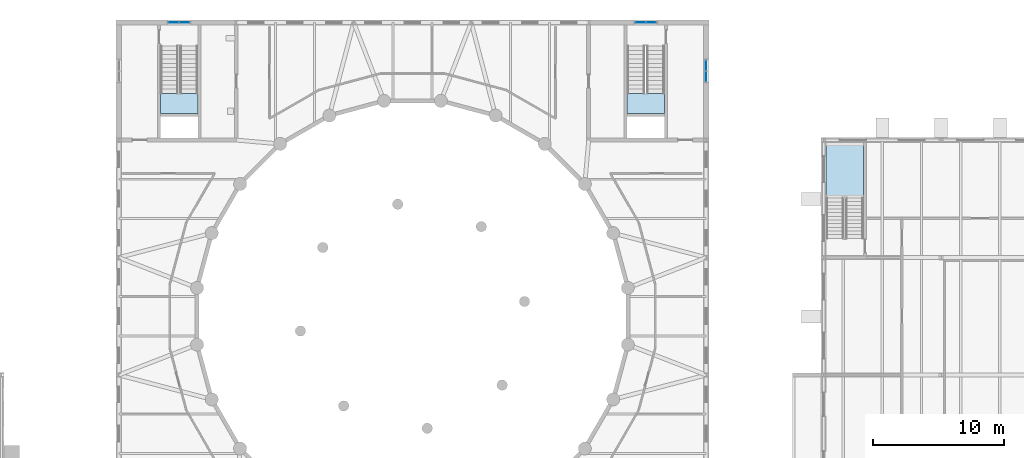
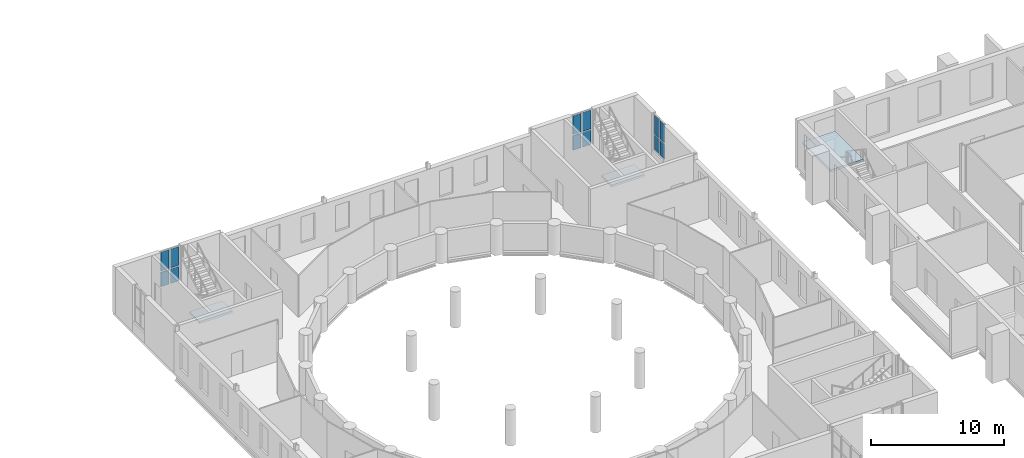
# One storey, part 67 of 134: 12 plates, 3 slabs, 6 elements without a shape of their own.
"""IFC4 building model written with IfcOpenShell, lengths in metres."""

from ifc_helpers import new_model, si_unit, direction, frame, origin, origin_2d, place, context, subcontext, project, spatial, polyline, rectangle, outline, extrude, material, layer, layer_set, type_object, element, aggregate, save


model = new_model("IFC4")

# Units and contexts
model_context = context("Model", 3, precision=1e-05, world=origin(), true_north=direction((0.0, 1.0)))
body_context = subcontext(model_context, "Body", "Model", "MODEL_VIEW")
ifc_project = project(units=[si_unit("LENGTHUNIT", "METRE"), si_unit("AREAUNIT", "SQUARE_METRE"), si_unit("VOLUMEUNIT", "CUBIC_METRE"), si_unit("PLANEANGLEUNIT", "RADIAN"), si_unit("MASSUNIT", "GRAM", prefix="KILO")], contexts=[model_context])

# Site, building, storey
site_placement = place(None, origin())
site = spatial("IfcSite", under=ifc_project, at=site_placement, CompositionType="ELEMENT")
building_placement = place(site_placement, origin())
building = spatial("IfcBuilding", under=site, at=building_placement, Name="Golden Quay Civic Hall", CompositionType="ELEMENT")
storey_placement = place(building_placement, frame((0.0, 0.0, 5.39990234375)))
storey = spatial("IfcBuildingStorey", under=building, at=storey_placement, Name="L01", CompositionType="ELEMENT", Elevation=5.39990234375)

# Stair, slab
ifc_material_1 = material(Name="Concrete C40/50", Category="concrete")
stair_type_1 = type_object("IfcStairType", Name="Concrete half-turn stair 24 risers", PredefinedType="HALF_TURN_STAIR", material=ifc_material_1)
stair_1_placement = place(storey_placement, origin())
stair_1 = element("IfcStair", 1, at=stair_1_placement, inside=storey, type_object=stair_type_1, Name="L01 Protected Exit Stair LB-N", PredefinedType="HALF_TURN_STAIR")
ifc_material_2 = material(Name="Concrete C35/45", Category="concrete")
ifc_layer_1 = layer(ifc_material_2, 0.199951171875)
ifc_layer_set_1 = layer_set([ifc_layer_1], Name="Concrete stair landing 200, Concrete C35/45")
slab_type_1 = type_object("IfcSlabType", Name="Concrete stair landing 200", PredefinedType="LANDING", material=ifc_layer_set_1)
slab_1_placement = place(storey_placement, frame((0.0, 0.0, 2.050048828125)))
slab_1 = element("IfcSlab", 2, at=slab_1_placement, type_object=slab_type_1, Name="LB-STN landing 1", PredefinedType="LANDING", context=body_context, shape_type="SweptSolid", body=[
    extrude(outline(polyline([(120.050048828125, 94.554931640625), (120.050048828125, 98.800048828125), (117.199951171875, 98.800048828125), (117.199951171875, 94.554931640625), (120.050048828125, 94.554931640625)])), origin(), (0.0, 0.0, 1.0), 0.199951171875),
])
aggregate(stair_1, [slab_1])

# Curtain wall, plates
ifc_material_3 = material(Name="Fire-resisting glass and steel", Category="steel")
curtain_wall_type = type_object("IfcCurtainWallType", Name="Fire-resisting glazed stair curtain wall EI 120", PredefinedType="NOTDEFINED", material=ifc_material_3)
curtain_wall_1_placement = place(storey_placement, origin())
curtain_wall_1 = element("IfcCurtainWall", 3, at=curtain_wall_1_placement, inside=storey, type_object=curtain_wall_type, Name="CW4 stair curtain wall", PredefinedType="NOTDEFINED")
ifc_material_4 = material(Name="Fire-resisting laminated glass", Category="glass")
ifc_layer_2 = layer(ifc_material_4, 0.0400390625)
ifc_layer_set_2 = layer_set([ifc_layer_2], Name="Fire-resisting glazed stair panel 40")
plate_type = type_object("IfcPlateType", Name="Fire-resisting glazed stair panel 40", PredefinedType="CURTAIN_PANEL", material=ifc_layer_set_2)
plate_1_placement = place(storey_placement, frame((67.205078125, 108.0, 1.02001953125), z_axis=(0.0, 0.0, 1.0), x_axis=(1.0, 0.0, 0.0)))
plate_1 = element("IfcPlate", 4, at=plate_1_placement, type_object=plate_type, Name="CW4 panel 1.1", PredefinedType="CURTAIN_PANEL", context=body_context, shape_type="SweptSolid", body=[
    extrude(rectangle(XDim=0.719970703125, YDim=0.0400390625, at=origin_2d()), origin(), (0.0, 0.0, 1.0), 1.320068359375),
])
plate_2_placement = place(storey_placement, frame((67.205078125, 108.0, 2.4599609375), z_axis=(0.0, 0.0, 1.0), x_axis=(1.0, 0.0, 0.0)))
plate_2 = element("IfcPlate", 5, at=plate_2_placement, type_object=plate_type, Name="CW4 panel 1.2", PredefinedType="CURTAIN_PANEL", context=body_context, shape_type="SweptSolid", body=[
    extrude(rectangle(XDim=0.719970703125, YDim=0.0400390625, at=origin_2d()), origin(), (0.0, 0.0, 1.0), 1.719970703125),
])
plate_3_placement = place(storey_placement, frame((68.044921875, 108.0, 1.02001953125), z_axis=(0.0, 0.0, 1.0), x_axis=(1.0, 0.0, 0.0)))
plate_3 = element("IfcPlate", 6, at=plate_3_placement, type_object=plate_type, Name="CW4 panel 2.1", PredefinedType="CURTAIN_PANEL", context=body_context, shape_type="SweptSolid", body=[
    extrude(rectangle(XDim=0.719970703125, YDim=0.0400390625, at=origin_2d()), origin(), (0.0, 0.0, 1.0), 1.320068359375),
])
plate_4_placement = place(storey_placement, frame((68.044921875, 108.0, 2.4599609375), z_axis=(0.0, 0.0, 1.0), x_axis=(1.0, 0.0, 0.0)))
plate_4 = element("IfcPlate", 7, at=plate_4_placement, type_object=plate_type, Name="CW4 panel 2.2", PredefinedType="CURTAIN_PANEL", context=body_context, shape_type="SweptSolid", body=[
    extrude(rectangle(XDim=0.719970703125, YDim=0.0400390625, at=origin_2d()), origin(), (0.0, 0.0, 1.0), 1.719970703125),
])
aggregate(curtain_wall_1, [plate_1, plate_2, plate_3, plate_4])

curtain_wall_2_placement = place(storey_placement, origin())
curtain_wall_2 = element("IfcCurtainWall", 8, at=curtain_wall_2_placement, inside=storey, type_object=curtain_wall_type, Name="CW4 stair curtain wall", PredefinedType="NOTDEFINED")
plate_5_placement = place(storey_placement, frame((102.955078125, 108.0, 1.02001953125), z_axis=(0.0, 0.0, 1.0), x_axis=(1.0, 0.0, 0.0)))
plate_5 = element("IfcPlate", 9, at=plate_5_placement, type_object=plate_type, Name="CW4 panel 1.1", PredefinedType="CURTAIN_PANEL", context=body_context, shape_type="SweptSolid", body=[
    extrude(rectangle(XDim=0.719970703125, YDim=0.0400390625, at=origin_2d()), origin(), (0.0, 0.0, 1.0), 1.320068359375),
])
plate_6_placement = place(storey_placement, frame((102.955078125, 108.0, 2.4599609375), z_axis=(0.0, 0.0, 1.0), x_axis=(1.0, 0.0, 0.0)))
plate_6 = element("IfcPlate", 10, at=plate_6_placement, type_object=plate_type, Name="CW4 panel 1.2", PredefinedType="CURTAIN_PANEL", context=body_context, shape_type="SweptSolid", body=[
    extrude(rectangle(XDim=0.719970703125, YDim=0.0400390625, at=origin_2d()), origin(), (0.0, 0.0, 1.0), 1.719970703125),
])
plate_7_placement = place(storey_placement, frame((103.794921875, 108.0, 1.02001953125), z_axis=(0.0, 0.0, 1.0), x_axis=(1.0, 0.0, 0.0)))
plate_7 = element("IfcPlate", 11, at=plate_7_placement, type_object=plate_type, Name="CW4 panel 2.1", PredefinedType="CURTAIN_PANEL", context=body_context, shape_type="SweptSolid", body=[
    extrude(rectangle(XDim=0.719970703125, YDim=0.0400390625, at=origin_2d()), origin(), (0.0, 0.0, 1.0), 1.320068359375),
])
plate_8_placement = place(storey_placement, frame((103.794921875, 108.0, 2.4599609375), z_axis=(0.0, 0.0, 1.0), x_axis=(1.0, 0.0, 0.0)))
plate_8 = element("IfcPlate", 12, at=plate_8_placement, type_object=plate_type, Name="CW4 panel 2.2", PredefinedType="CURTAIN_PANEL", context=body_context, shape_type="SweptSolid", body=[
    extrude(rectangle(XDim=0.719970703125, YDim=0.0400390625, at=origin_2d()), origin(), (0.0, 0.0, 1.0), 1.719970703125),
])
aggregate(curtain_wall_2, [plate_5, plate_6, plate_7, plate_8])

curtain_wall_3_placement = place(storey_placement, origin())
curtain_wall_3 = element("IfcCurtainWall", 13, at=curtain_wall_3_placement, inside=storey, type_object=curtain_wall_type, Name="CW4 stair curtain wall", PredefinedType="NOTDEFINED")
plate_9_placement = place(storey_placement, frame((108.0, 103.8798828125, 1.02001953125), z_axis=(0.0, 0.0, 1.0), x_axis=(0.0, 1.0, 0.0)))
plate_9 = element("IfcPlate", 14, at=plate_9_placement, type_object=plate_type, Name="CW4 panel 1.1", PredefinedType="CURTAIN_PANEL", context=body_context, shape_type="SweptSolid", body=[
    extrude(rectangle(XDim=0.719970703125, YDim=0.0400390625, at=origin_2d()), origin(), (0.0, 0.0, 1.0), 1.320068359375),
])
plate_10_placement = place(storey_placement, frame((108.0, 103.8798828125, 2.4599609375), z_axis=(0.0, 0.0, 1.0), x_axis=(0.0, 1.0, 0.0)))
plate_10 = element("IfcPlate", 15, at=plate_10_placement, type_object=plate_type, Name="CW4 panel 1.2", PredefinedType="CURTAIN_PANEL", context=body_context, shape_type="SweptSolid", body=[
    extrude(rectangle(XDim=0.719970703125, YDim=0.0400390625, at=origin_2d()), origin(), (0.0, 0.0, 1.0), 1.719970703125),
])
plate_11_placement = place(storey_placement, frame((108.0, 104.719970703125, 1.02001953125), z_axis=(0.0, 0.0, 1.0), x_axis=(0.0, 1.0, 0.0)))
plate_11 = element("IfcPlate", 16, at=plate_11_placement, type_object=plate_type, Name="CW4 panel 2.1", PredefinedType="CURTAIN_PANEL", context=body_context, shape_type="SweptSolid", body=[
    extrude(rectangle(XDim=0.719970703125, YDim=0.0400390625, at=origin_2d()), origin(), (0.0, 0.0, 1.0), 1.320068359375),
])
plate_12_placement = place(storey_placement, frame((108.0, 104.719970703125, 2.4599609375), z_axis=(0.0, 0.0, 1.0), x_axis=(0.0, 1.0, 0.0)))
plate_12 = element("IfcPlate", 17, at=plate_12_placement, type_object=plate_type, Name="CW4 panel 2.2", PredefinedType="CURTAIN_PANEL", context=body_context, shape_type="SweptSolid", body=[
    extrude(rectangle(XDim=0.719970703125, YDim=0.0400390625, at=origin_2d()), origin(), (0.0, 0.0, 1.0), 1.719970703125),
])
aggregate(curtain_wall_3, [plate_9, plate_10, plate_11, plate_12])

# Stair, slab
ifc_material_5 = material(Name="Concrete C35/45", Category="concrete")
stair_type_2 = type_object("IfcStairType", Name="Reinforced concrete stair 1350", PredefinedType="HALF_TURN_STAIR", material=ifc_material_5)
stair_2_placement = place(storey_placement, origin())
stair_2 = element("IfcStair", 18, at=stair_2_placement, inside=storey, type_object=stair_type_2, Name="L01 Core stair NW", PredefinedType="HALF_TURN_STAIR")
ifc_material_6 = material(Name="Concrete C35/45", Category="concrete")
ifc_layer_3 = layer(ifc_material_6, 0.199951171875)
ifc_layer_set_3 = layer_set([ifc_layer_3], Name="Reinforced concrete stair landing 200, Concrete C35/45")
slab_type_2 = type_object("IfcSlabType", Name="Reinforced concrete stair landing 200", PredefinedType="LANDING", material=ifc_layer_set_3)
slab_2_placement = place(storey_placement, frame((0.0, 0.0, 2.050048828125)))
slab_2 = element("IfcSlab", 19, at=slab_2_placement, type_object=slab_type_2, Name="CB-NW landing 1", PredefinedType="LANDING", context=body_context, shape_type="SweptSolid", body=[
    extrude(outline(polyline([(66.199951171875, 102.570068359375), (66.199951171875, 101.050048828125), (69.050048828125, 101.050048828125), (69.050048828125, 102.570068359375), (66.199951171875, 102.570068359375)])), origin(), (0.0, 0.0, 1.0), 0.199951171875),
])
aggregate(stair_2, [slab_2])

stair_3_placement = place(storey_placement, origin())
stair_3 = element("IfcStair", 20, at=stair_3_placement, inside=storey, type_object=stair_type_2, Name="L01 Core stair NE", PredefinedType="HALF_TURN_STAIR")
slab_3_placement = place(storey_placement, frame((0.0, 0.0, 2.050048828125)))
slab_3 = element("IfcSlab", 21, at=slab_3_placement, type_object=slab_type_2, Name="CB-NE landing 1", PredefinedType="LANDING", context=body_context, shape_type="SweptSolid", body=[
    extrude(outline(polyline([(101.949951171875, 102.570068359375), (101.949951171875, 101.050048828125), (104.800048828125, 101.050048828125), (104.800048828125, 102.570068359375), (101.949951171875, 102.570068359375)])), origin(), (0.0, 0.0, 1.0), 0.199951171875),
])
aggregate(stair_3, [slab_3])

save(model, "model.ifc")
